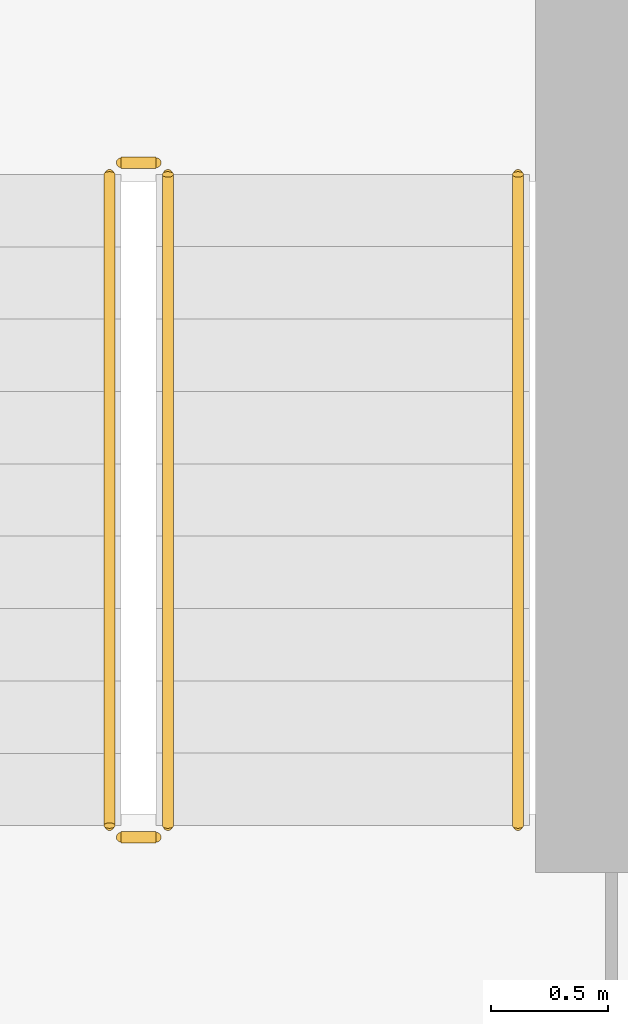
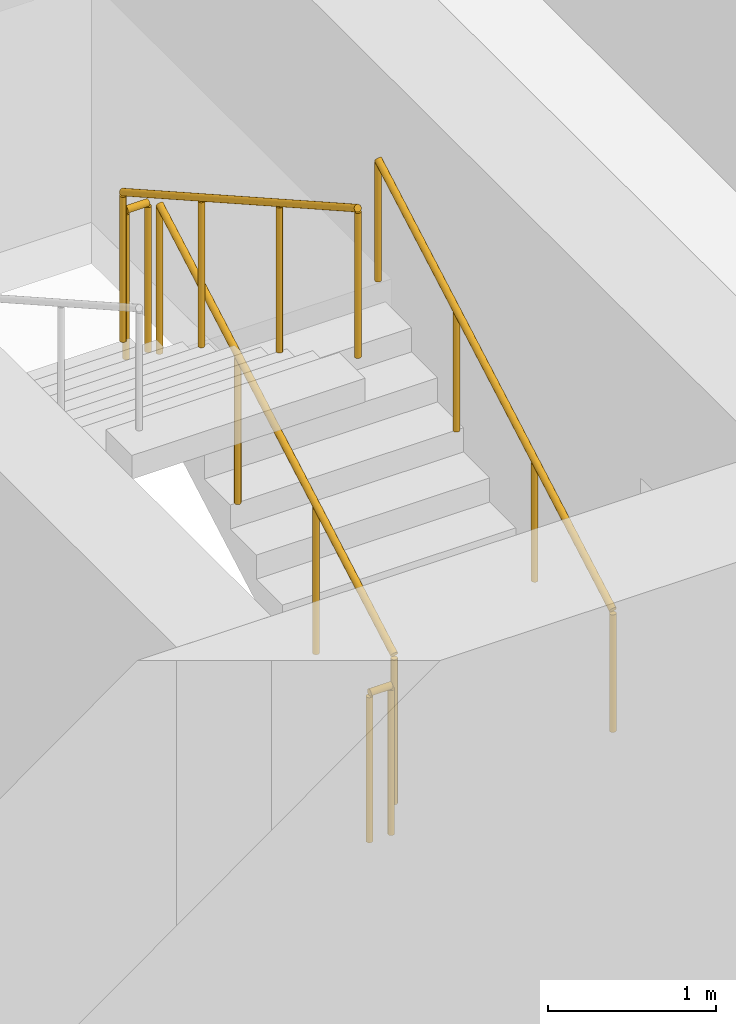
# One storey, part 20 of 22: 5 railings.
"""IFC4 building model written with IfcOpenShell, lengths in metres."""

from ifc_helpers import new_model, si_unit, direction, frame, origin, origin_2d, place, context, subcontext, project, spatial, circle, extrude, material, type_object, element, save


model = new_model("IFC4")

# Units and contexts
model_context = context("Model", 3, precision=1e-05, world=origin(), true_north=direction((0.0, 1.0)))
body_context = subcontext(model_context, "Body", "Model", "MODEL_VIEW")
ifc_project = project(units=[si_unit("LENGTHUNIT", "METRE"), si_unit("AREAUNIT", "SQUARE_METRE"), si_unit("VOLUMEUNIT", "CUBIC_METRE"), si_unit("PLANEANGLEUNIT", "RADIAN"), si_unit("MASSUNIT", "GRAM", prefix="KILO")], contexts=[model_context])

# Site, building, storey
site_placement = place(None, origin())
site = spatial("IfcSite", under=ifc_project, at=site_placement, CompositionType="ELEMENT")
building_placement = place(site_placement, origin())
building = spatial("IfcBuilding", under=site, at=building_placement, Name="Madar Terraces", CompositionType="ELEMENT")
storey_placement = place(building_placement, frame((0.0, 0.0, 69.800048828125)))
storey = spatial("IfcBuildingStorey", under=building, at=storey_placement, Name="L17", CompositionType="ELEMENT", Elevation=69.800048828125)

# Railings
ifc_material_1 = material(Name="Stainless steel railing", Category="steel")
railing_type_1 = type_object("IfcRailingType", Name="Stair guard 1100", PredefinedType="GUARDRAIL", material=ifc_material_1)
railing_1_placement = place(storey_placement, frame((41.449951171875, 17.60009765625, 0.175048828125)))
element("IfcRailing", 1, at=railing_1_placement, inside=storey, type_object=railing_type_1, Name="L17 ST3 stair guard 1", PredefinedType="GUARDRAIL", context=body_context, shape_type="SweptSolid", body=[
    extrude(circle(Radius=0.02392578125, at=origin_2d()), frame((0.0, 0.0, 1.076171875), z_axis=(0.0, 0.870815363784, 0.491610213684), x_axis=(-1.0, 0.0, 0.0)), (0.0, 0.0, 1.0), 3.20361328125),
    extrude(circle(Radius=0.02099609375, at=origin_2d()), origin(), (0.0, 0.0, 1.0), 1.052001953125),
    extrude(circle(Radius=0.02099609375, at=origin_2d()), frame((0.0, 0.929931640625, 0.52490234375)), (0.0, 0.0, 1.0), 1.052001953125),
    extrude(circle(Radius=0.02099609375, at=origin_2d()), frame((0.0, 1.85986328125, 1.050048828125)), (0.0, 0.0, 1.0), 1.052001953125),
    extrude(circle(Radius=0.02099609375, at=origin_2d()), frame((0.0, 2.789794921875, 1.574951171875)), (0.0, 0.0, 1.0), 1.052001953125),
])
railing_2_placement = place(storey_placement, frame((41.39990234375, 20.43994140625, 1.75)))
element("IfcRailing", 2, at=railing_2_placement, inside=storey, type_object=railing_type_1, Name="L17 ST3 stair guard 2", PredefinedType="GUARDRAIL", context=body_context, shape_type="SweptSolid", body=[
    extrude(circle(Radius=0.02392578125, at=origin_2d()), frame((0.0, 0.0, 1.076171875), z_axis=(-1.0, 0.0, 0.0), x_axis=(0.0, -1.0, 0.0)), (0.0, 0.0, 1.0), 0.14990234375),
    extrude(circle(Radius=0.02099609375, at=origin_2d()), origin(), (0.0, 0.0, 1.0), 1.052001953125),
    extrude(circle(Radius=0.02099609375, at=origin_2d()), frame((-0.14990234375, 0.0, 0.0)), (0.0, 0.0, 1.0), 1.052001953125),
])
railing_3_placement = place(storey_placement, frame((41.199951171875, 20.389892578125, 1.925048828125)))
element("IfcRailing", 3, at=railing_3_placement, inside=storey, type_object=railing_type_1, Name="L17 ST3 stair guard 3", PredefinedType="GUARDRAIL", context=body_context, shape_type="SweptSolid", body=[
    extrude(circle(Radius=0.02392578125, at=origin_2d()), frame((0.0, 0.0, 1.076171875), z_axis=(0.0, -0.870815363784, 0.491610213684), x_axis=(1.0, 0.0, 0.0)), (0.0, 0.0, 1.0), 3.20361328125),
    extrude(circle(Radius=0.02099609375, at=origin_2d()), origin(), (0.0, 0.0, 1.0), 1.052001953125),
    extrude(circle(Radius=0.02099609375, at=origin_2d()), frame((0.0, -0.929931640625, 0.52490234375)), (0.0, 0.0, 1.0), 1.052001953125),
    extrude(circle(Radius=0.02099609375, at=origin_2d()), frame((0.0, -1.85986328125, 1.050048828125)), (0.0, 0.0, 1.0), 1.052001953125),
    extrude(circle(Radius=0.02099609375, at=origin_2d()), frame((0.0, -2.789794921875, 1.574951171875)), (0.0, 0.0, 1.0), 1.052001953125),
])
railing_4_placement = place(storey_placement, frame((41.39990234375, 17.550048828125, 0.0)))
element("IfcRailing", 4, at=railing_4_placement, inside=storey, type_object=railing_type_1, Name="L17 ST3 stair guard 4", PredefinedType="GUARDRAIL", context=body_context, shape_type="SweptSolid", body=[
    extrude(circle(Radius=0.02392578125, at=origin_2d()), frame((0.0, 0.0, 1.076171875), z_axis=(-1.0, 0.0, 0.0), x_axis=(0.0, -1.0, 0.0)), (0.0, 0.0, 1.0), 0.14990234375),
    extrude(circle(Radius=0.02099609375, at=origin_2d()), origin(), (0.0, 0.0, 1.0), 1.052001953125),
    extrude(circle(Radius=0.02099609375, at=origin_2d()), frame((-0.14990234375, 0.0, 0.0)), (0.0, 0.0, 1.0), 1.052001953125),
])
ifc_material_2 = material(Name="Stainless steel railing", Category="steel")
railing_type_2 = type_object("IfcRailingType", Name="Stair handrail 900", PredefinedType="HANDRAIL", material=ifc_material_2)
railing_5_placement = place(storey_placement, frame((42.949951171875, 17.60009765625, 0.175048828125)))
element("IfcRailing", 5, at=railing_5_placement, inside=storey, type_object=railing_type_2, Name="L17 ST3 stair handrail 1", PredefinedType="HANDRAIL", context=body_context, shape_type="SweptSolid", body=[
    extrude(circle(Radius=0.02392578125, at=origin_2d()), frame((0.0, 0.0, 0.8759765625), z_axis=(0.0, 0.870815363784, 0.491610213684), x_axis=(-1.0, 0.0, 0.0)), (0.0, 0.0, 1.0), 3.20361328125),
    extrude(circle(Radius=0.02099609375, at=origin_2d()), origin(), (0.0, 0.0, 1.0), 0.851806640625),
    extrude(circle(Radius=0.02099609375, at=origin_2d()), frame((0.0, 0.929931640625, 0.52490234375)), (0.0, 0.0, 1.0), 0.851806640625),
    extrude(circle(Radius=0.02099609375, at=origin_2d()), frame((0.0, 1.85986328125, 1.050048828125)), (0.0, 0.0, 1.0), 0.851806640625),
    extrude(circle(Radius=0.02099609375, at=origin_2d()), frame((0.0, 2.789794921875, 1.574951171875)), (0.0, 0.0, 1.0), 0.851806640625),
])

save(model, "model.ifc")
